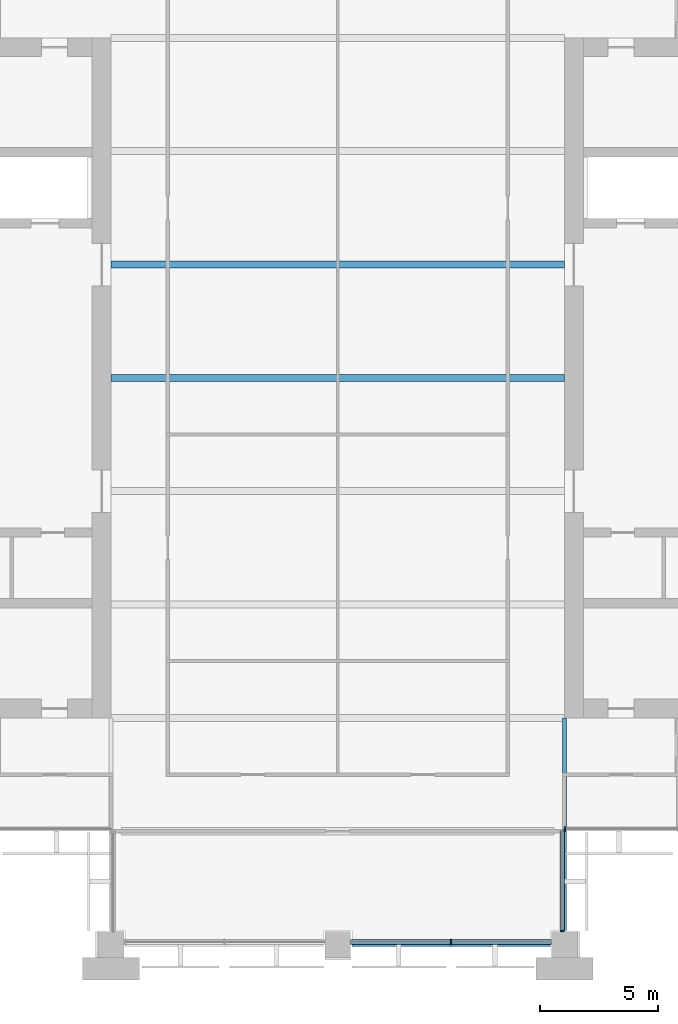
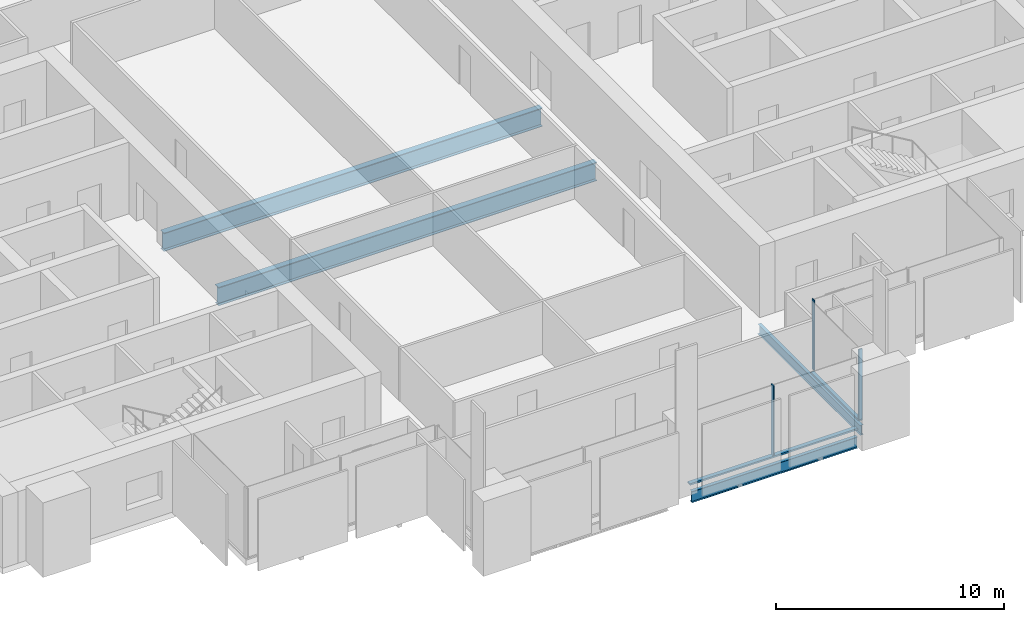
# One storey, part 3 of 13: 5 members, 4 beams, 3 elements without a shape of their own.
"""IFC4 building model written with IfcOpenShell, lengths in metres."""

from ifc_helpers import new_model, si_unit, direction, frame, origin, origin_2d, place, context, subcontext, project, spatial, rectangle, i_section, extrude, material, material_profile, profile_set, type_object, element, aggregate, save


model = new_model("IFC4")

# Units and contexts
model_context = context("Model", 3, precision=1e-05, world=origin(), true_north=direction((0.0, 1.0)))
body_context = subcontext(model_context, "Body", "Model", "MODEL_VIEW")
ifc_project = project(units=[si_unit("LENGTHUNIT", "METRE"), si_unit("AREAUNIT", "SQUARE_METRE"), si_unit("VOLUMEUNIT", "CUBIC_METRE"), si_unit("PLANEANGLEUNIT", "RADIAN"), si_unit("MASSUNIT", "GRAM", prefix="KILO")], contexts=[model_context])

# Site, building, storey
site_placement = place(None, origin())
site = spatial("IfcSite", under=ifc_project, at=site_placement, CompositionType="ELEMENT")
building_placement = place(site_placement, origin())
building = spatial("IfcBuilding", under=site, at=building_placement, Name="Baori Bourse Tower", CompositionType="ELEMENT")
storey_placement = place(building_placement, frame((0.0, 0.0, 193.199951171875)))
storey = spatial("IfcBuildingStorey", under=building, at=storey_placement, Name="L41", CompositionType="ELEMENT", Elevation=193.199951171875)

# Curtain wall, member
ifc_material_1 = material(Name="Pale anodised aluminium", Category="aluminium")
curtain_wall_type_1 = type_object("IfcCurtainWallType", Name="CW2 Curtain wall", PredefinedType="NOTDEFINED", material=ifc_material_1)
curtain_wall_1_placement = place(storey_placement, origin())
curtain_wall_1 = element("IfcCurtainWall", 1, at=curtain_wall_1_placement, inside=storey, type_object=curtain_wall_type_1, Name="Curtain wall CW2 L41 12", PredefinedType="NOTDEFINED")
ifc_material_2 = material(Name="Pale anodised aluminium", Category="aluminium")
ifc_material_profile_1 = material_profile(ifc_material_2, rectangle(XDim=0.179931640625, YDim=0.054931640625, at=origin_2d()), Name="Mullion 55x180")
ifc_profile_set_1 = profile_set([ifc_material_profile_1], Name="Pale anodised aluminium")
member_type_1 = type_object("IfcMemberType", Name="CW2 Curtain wall mullion", PredefinedType="MULLION", material=ifc_profile_set_1)
member_1_placement = place(storey_placement, frame((38.31005859375, 0.577392578125, 0.070068359375), z_axis=(0.0, 0.0, 1.0), x_axis=(-1.0, 0.0, 0.0)))
member_1 = element("IfcMember", 2, at=member_1_placement, type_object=member_type_1, Name="Curtain wall CW2 mullion", PredefinedType="MULLION", context=body_context, shape_type="SweptSolid", body=[
    extrude(rectangle(XDim=0.179931640625, YDim=0.054931640625, at=origin_2d()), origin(), (0.0, 0.0, 1.0), 3.77001953125),
])

curtain_wall_2_placement = place(storey_placement, origin())
curtain_wall_2 = element("IfcCurtainWall", 3, at=curtain_wall_2_placement, inside=storey, type_object=curtain_wall_type_1, Name="Curtain wall CW2 L41 13", PredefinedType="NOTDEFINED")
member_2_placement = place(storey_placement, frame((38.427490234375, 4.889892578125, 0.070068359375), z_axis=(0.0, 0.0, 1.0), x_axis=(0.0, 1.0, 0.0)))
member_2 = element("IfcMember", 4, at=member_2_placement, type_object=member_type_1, Name="Curtain wall CW2 mullion", PredefinedType="MULLION", context=body_context, shape_type="SweptSolid", body=[
    extrude(rectangle(XDim=0.179931640625, YDim=0.054931640625, at=origin_2d()), origin(), (0.0, 0.0, 1.0), 3.77001953125),
])
aggregate(curtain_wall_2, [member_2])

# Member
ifc_material_3 = material(Name="Pale anodised aluminium", Category="aluminium")
ifc_material_profile_2 = material_profile(ifc_material_3, rectangle(XDim=0.179931640625, YDim=0.070068359375, at=origin_2d()), Name="Transom 70x180")
ifc_profile_set_2 = profile_set([ifc_material_profile_2], Name="Pale anodised aluminium")
member_type_2 = type_object("IfcMemberType", Name="CW2 Curtain wall transom", PredefinedType="USERDEFINED", material=ifc_profile_set_2)
member_3_placement = place(storey_placement, frame((38.31005859375, 0.550048828125, 0.03515625), z_axis=(0.0, 1.0, 0.0), x_axis=(-1.0, 0.0, 0.0)))
member_3 = element("IfcMember", 5, at=member_3_placement, type_object=member_type_2, Name="Curtain wall CW2 sill rail", ObjectType="TRANSOM", PredefinedType="USERDEFINED", context=body_context, shape_type="SweptSolid", body=[
    extrude(rectangle(XDim=0.179931640625, YDim=0.070068359375, at=origin_2d()), origin(), (0.0, 0.0, 1.0), 4.25),
])

aggregate(curtain_wall_1, [member_3, member_1])

# Curtain wall, members
ifc_material_4 = material(Name="Pale anodised aluminium", Category="aluminium")
curtain_wall_type_2 = type_object("IfcCurtainWallType", Name="CW5 Curtain wall", PredefinedType="NOTDEFINED", material=ifc_material_4)
curtain_wall_3_placement = place(storey_placement, origin())
curtain_wall_3 = element("IfcCurtainWall", 6, at=curtain_wall_3_placement, inside=storey, type_object=curtain_wall_type_2, Name="Curtain wall CW5 L41 11", PredefinedType="NOTDEFINED")
ifc_material_5 = material(Name="Pale anodised aluminium", Category="aluminium")
ifc_material_profile_3 = material_profile(ifc_material_5, rectangle(XDim=0.219970703125, YDim=0.06494140625, at=origin_2d()), Name="Mullion 65x220")
ifc_profile_set_3 = profile_set([ifc_material_profile_3], Name="Pale anodised aluminium")
member_type_3 = type_object("IfcMemberType", Name="CW5 Curtain wall mullion", PredefinedType="MULLION", material=ifc_profile_set_3)
member_4_placement = place(storey_placement, frame((33.60009765625, 0.110107421875, 0.0849609375), z_axis=(0.0, 0.0, 1.0), x_axis=(0.0, 1.0, 0.0)))
member_4 = element("IfcMember", 7, at=member_4_placement, type_object=member_type_3, Name="Curtain wall CW5 mullion", PredefinedType="MULLION", context=body_context, shape_type="SweptSolid", body=[
    extrude(rectangle(XDim=0.219970703125, YDim=0.06494140625, at=origin_2d()), origin(), (0.0, 0.0, 1.0), 3.755126953125),
])
ifc_material_6 = material(Name="Pale anodised aluminium", Category="aluminium")
ifc_material_profile_4 = material_profile(ifc_material_6, rectangle(XDim=0.219970703125, YDim=0.0849609375, at=origin_2d()), Name="Transom 85x220")
ifc_profile_set_4 = profile_set([ifc_material_profile_4], Name="Pale anodised aluminium")
member_type_4 = type_object("IfcMemberType", Name="CW5 Curtain wall transom", PredefinedType="USERDEFINED", material=ifc_profile_set_4)
member_5_placement = place(storey_placement, frame((29.35009765625, 0.110107421875, 0.04248046875), z_axis=(1.0, 0.0, 0.0), x_axis=(0.0, 1.0, 0.0)))
member_5 = element("IfcMember", 8, at=member_5_placement, type_object=member_type_4, Name="Curtain wall CW5 sill rail", ObjectType="TRANSOM", PredefinedType="USERDEFINED", context=body_context, shape_type="SweptSolid", body=[
    extrude(rectangle(XDim=0.219970703125, YDim=0.0849609375, at=origin_2d()), origin(), (0.0, 0.0, 1.0), 8.5),
])
aggregate(curtain_wall_3, [member_5, member_4])

# Beams
ifc_material_7 = material(Name="Steel A992 Gr 50", Category="steel")
ifc_material_profile_5 = material_profile(ifc_material_7, i_section(OverallWidth=0.177978515625, OverallDepth=0.599365234375, WebThickness=0.010009765625, FlangeThickness=0.012939453125, at=origin_2d()), Name="W24x55")
ifc_profile_set_5 = profile_set([ifc_material_profile_5], Name="Steel A992 Gr 50")
beam_type_1 = type_object("IfcBeamType", Name="Edge beam W24x55", PredefinedType="BEAM", material=ifc_profile_set_5)
beam_1_placement = place(storey_placement, frame((29.39990234375, 0.0, -0.599609375), z_axis=(1.0, 0.0, 0.0), x_axis=(0.0, 1.0, 0.0)))
element("IfcBeam", 9, at=beam_1_placement, inside=storey, type_object=beam_type_1, Name="Edge beam L41", PredefinedType="BEAM", context=body_context, shape_type="SweptSolid", body=[
    extrude(i_section(OverallWidth=0.177978515625, OverallDepth=0.599365234375, WebThickness=0.010009765625, FlangeThickness=0.012939453125, at=origin_2d()), origin(), (0.0, 0.0, 1.0), 8.400146484375),
])
ifc_material_8 = material(Name="Steel A992 Gr 50", Category="steel")
ifc_material_profile_6 = material_profile(ifc_material_8, i_section(OverallWidth=0.2998046875, OverallDepth=0.990478515625, WebThickness=0.0166015625, FlangeThickness=0.030517578125, at=origin_2d()), Name="W40x183")
ifc_profile_set_6 = profile_set([ifc_material_profile_6], Name="Steel A992 Gr 50")
beam_type_2 = type_object("IfcBeamType", Name="Floor beam W40x183", PredefinedType="BEAM", material=ifc_profile_set_6)
for number, where, z_axis, x_axis, name in (
    (10, (19.199951171875, 24.0, -0.795166015625), (1.0, 0.0, 0.0), (0.0, 1.0, 0.0), "Floor beam L41"),
    (11, (19.199951171875, 28.800048828125, -0.795166015625), (1.0, 0.0, 0.0), (0.0, 1.0, 0.0), "Floor beam L41"),
):
    element("IfcBeam", number, at=place(storey_placement, frame(where, z_axis=z_axis, x_axis=x_axis)), inside=storey, type_object=beam_type_2, Name=name, PredefinedType="BEAM", context=body_context, shape_type="SweptSolid", body=[
        extrude(i_section(OverallWidth=0.2998046875, OverallDepth=0.990478515625, WebThickness=0.0166015625, FlangeThickness=0.030517578125, at=origin_2d()), origin(), (0.0, 0.0, 1.0), 19.199951171875),
    ])
ifc_material_9 = material(Name="Steel A992 Gr 50", Category="steel")
ifc_material_profile_7 = material_profile(ifc_material_9, i_section(OverallWidth=0.1650390625, OverallDepth=0.52587890625, WebThickness=0.0087890625, FlangeThickness=0.011474609375, at=origin_2d()), Name="W21x44")
ifc_profile_set_7 = profile_set([ifc_material_profile_7], Name="Steel A992 Gr 50")
beam_type_3 = type_object("IfcBeamType", Name="Girder W21x44", PredefinedType="BEAM", material=ifc_profile_set_7)
beam_2_placement = place(storey_placement, frame((38.39990234375, 0.60009765625, -0.562744140625), z_axis=(0.0, 1.0, 0.0), x_axis=(-1.0, 0.0, 0.0)))
element("IfcBeam", 12, at=beam_2_placement, inside=storey, type_object=beam_type_3, Name="Girder L41", PredefinedType="BEAM", context=body_context, shape_type="SweptSolid", body=[
    extrude(i_section(OverallWidth=0.1650390625, OverallDepth=0.52587890625, WebThickness=0.0087890625, FlangeThickness=0.011474609375, at=origin_2d()), origin(), (0.0, 0.0, 1.0), 9.0),
])

save(model, "model.ifc")
